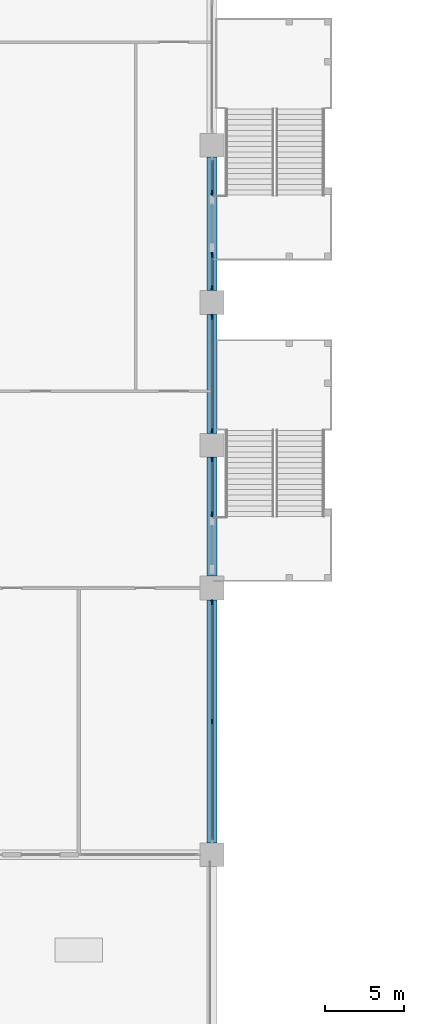
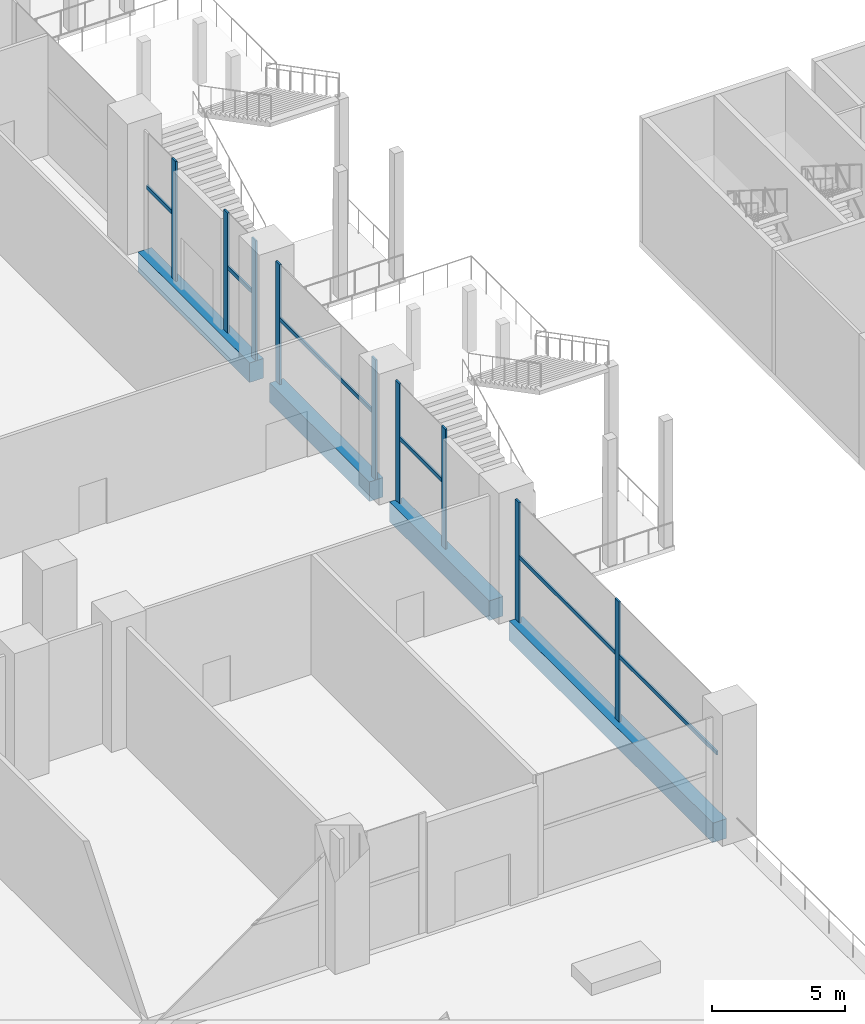
# One storey, part 8 of 47: 15 members, 4 beams, 5 elements without a shape of their own.
"""IFC4 building model written with IfcOpenShell, lengths in metres."""

from ifc_helpers import new_model, si_unit, direction, frame, origin, origin_2d, place, context, subcontext, project, spatial, rectangle, extrude, material, material_profile, profile_set, type_object, element, aggregate, save


model = new_model("IFC4")

# Units and contexts
model_context = context("Model", 3, precision=1e-05, world=origin(), true_north=direction((0.0, 1.0)))
body_context = subcontext(model_context, "Body", "Model", "MODEL_VIEW")
ifc_project = project(units=[si_unit("LENGTHUNIT", "METRE"), si_unit("AREAUNIT", "SQUARE_METRE"), si_unit("VOLUMEUNIT", "CUBIC_METRE"), si_unit("PLANEANGLEUNIT", "RADIAN"), si_unit("MASSUNIT", "GRAM", prefix="KILO")], contexts=[model_context])

# Site, building, storey
site_placement = place(None, origin())
site = spatial("IfcSite", under=ifc_project, at=site_placement, CompositionType="ELEMENT")
building_placement = place(site_placement, origin())
building = spatial("IfcBuilding", under=site, at=building_placement, Name="Candeia Pilgrim Tower and Theatre", CompositionType="ELEMENT")
storey_placement = place(building_placement, frame((0.0, 0.0, 23.0)))
storey = spatial("IfcBuildingStorey", under=building, at=storey_placement, Name="L03", CompositionType="ELEMENT", Elevation=23.0)

# Curtain wall, member
ifc_material_1 = material(Name="Aluminium framed podium glazing", Category="aluminium")
curtain_wall_type = type_object("IfcCurtainWallType", Name="CW-P curtain wall", PredefinedType="NOTDEFINED", material=ifc_material_1)
curtain_wall_1_placement = place(storey_placement, origin())
curtain_wall_1 = element("IfcCurtainWall", 1, at=curtain_wall_1_placement, inside=storey, type_object=curtain_wall_type, Name="Curtain wall CW-P L03.220", PredefinedType="NOTDEFINED")
ifc_material_2 = material(Name="Anodised aluminium", Category="aluminium")
ifc_material_profile_1 = material_profile(ifc_material_2, rectangle(XDim=0.080078125, YDim=0.300048828125, at=origin_2d()))
ifc_profile_set_1 = profile_set([ifc_material_profile_1], Name="Anodised aluminium")
member_type_1 = type_object("IfcMemberType", Name="CW-P mullion 80x300", PredefinedType="MULLION", material=ifc_profile_set_1)
member_1_placement = place(storey_placement, frame((159.60009765625, 122.89990234375, 0.0), z_axis=(0.0, 0.0, 1.0), x_axis=(1.0, 0.0, 0.0)))
member_1 = element("IfcMember", 2, at=member_1_placement, type_object=member_type_1, Name="CW-P mullion 2", PredefinedType="MULLION", context=body_context, shape_type="SweptSolid", body=[
    extrude(rectangle(XDim=0.080078125, YDim=0.300048828125, at=origin_2d()), origin(), (0.0, 0.0, 1.0), 5.5),
])

# Curtain wall, members
curtain_wall_2_placement = place(storey_placement, origin())
curtain_wall_2 = element("IfcCurtainWall", 3, at=curtain_wall_2_placement, inside=storey, type_object=curtain_wall_type, Name="Curtain wall CW-P L03.221", PredefinedType="NOTDEFINED")
member_2_placement = place(storey_placement, frame((159.60009765625, 119.0, 0.0), z_axis=(0.0, 0.0, 1.0), x_axis=(1.0, 0.0, 0.0)))
member_2 = element("IfcMember", 4, at=member_2_placement, type_object=member_type_1, Name="CW-P mullion 1", PredefinedType="MULLION", context=body_context, shape_type="SweptSolid", body=[
    extrude(rectangle(XDim=0.080078125, YDim=0.300048828125, at=origin_2d()), origin(), (0.0, 0.0, 1.0), 5.5),
])
member_3_placement = place(storey_placement, frame((159.60009765625, 116.89990234375, 0.0), z_axis=(0.0, 0.0, 1.0), x_axis=(1.0, 0.0, 0.0)))
member_3 = element("IfcMember", 5, at=member_3_placement, type_object=member_type_1, Name="CW-P mullion 2", PredefinedType="MULLION", context=body_context, shape_type="SweptSolid", body=[
    extrude(rectangle(XDim=0.080078125, YDim=0.300048828125, at=origin_2d()), origin(), (0.0, 0.0, 1.0), 5.5),
])

curtain_wall_3_placement = place(storey_placement, origin())
curtain_wall_3 = element("IfcCurtainWall", 6, at=curtain_wall_3_placement, inside=storey, type_object=curtain_wall_type, Name="Curtain wall CW-P L03.230", PredefinedType="NOTDEFINED")
member_4_placement = place(storey_placement, frame((159.60009765625, 115.10009765625, 0.0), z_axis=(0.0, 0.0, 1.0), x_axis=(1.0, 0.0, 0.0)))
member_4 = element("IfcMember", 7, at=member_4_placement, type_object=member_type_1, Name="CW-P mullion 1", PredefinedType="MULLION", context=body_context, shape_type="SweptSolid", body=[
    extrude(rectangle(XDim=0.080078125, YDim=0.300048828125, at=origin_2d()), origin(), (0.0, 0.0, 1.0), 5.5),
])
member_5_placement = place(storey_placement, frame((159.60009765625, 107.89990234375, 0.0), z_axis=(0.0, 0.0, 1.0), x_axis=(1.0, 0.0, 0.0)))
member_5 = element("IfcMember", 8, at=member_5_placement, type_object=member_type_1, Name="CW-P mullion 2", PredefinedType="MULLION", context=body_context, shape_type="SweptSolid", body=[
    extrude(rectangle(XDim=0.080078125, YDim=0.300048828125, at=origin_2d()), origin(), (0.0, 0.0, 1.0), 5.5),
])

curtain_wall_4_placement = place(storey_placement, origin())
curtain_wall_4 = element("IfcCurtainWall", 9, at=curtain_wall_4_placement, inside=storey, type_object=curtain_wall_type, Name="Curtain wall CW-P L03.240", PredefinedType="NOTDEFINED")
member_6_placement = place(storey_placement, frame((159.60009765625, 106.10009765625, 0.0), z_axis=(0.0, 0.0, 1.0), x_axis=(1.0, 0.0, 0.0)))
member_6 = element("IfcMember", 10, at=member_6_placement, type_object=member_type_1, Name="CW-P mullion 1", PredefinedType="MULLION", context=body_context, shape_type="SweptSolid", body=[
    extrude(rectangle(XDim=0.080078125, YDim=0.300048828125, at=origin_2d()), origin(), (0.0, 0.0, 1.0), 5.5),
])
member_7_placement = place(storey_placement, frame((159.60009765625, 102.64990234375, 0.0), z_axis=(0.0, 0.0, 1.0), x_axis=(1.0, 0.0, 0.0)))
member_7 = element("IfcMember", 11, at=member_7_placement, type_object=member_type_1, Name="CW-P mullion 2", PredefinedType="MULLION", context=body_context, shape_type="SweptSolid", body=[
    extrude(rectangle(XDim=0.080078125, YDim=0.300048828125, at=origin_2d()), origin(), (0.0, 0.0, 1.0), 5.5),
])

curtain_wall_5_placement = place(storey_placement, origin())
curtain_wall_5 = element("IfcCurtainWall", 12, at=curtain_wall_5_placement, inside=storey, type_object=curtain_wall_type, Name="Curtain wall CW-P L03.250", PredefinedType="NOTDEFINED")
member_8_placement = place(storey_placement, frame((159.60009765625, 97.10009765625, 0.0), z_axis=(0.0, 0.0, 1.0), x_axis=(1.0, 0.0, 0.0)))
member_8 = element("IfcMember", 13, at=member_8_placement, type_object=member_type_1, Name="CW-P mullion 1", PredefinedType="MULLION", context=body_context, shape_type="SweptSolid", body=[
    extrude(rectangle(XDim=0.080078125, YDim=0.300048828125, at=origin_2d()), origin(), (0.0, 0.0, 1.0), 5.5),
])
member_9_placement = place(storey_placement, frame((159.60009765625, 89.60009765625, 0.0), z_axis=(0.0, 0.0, 1.0), x_axis=(1.0, 0.0, 0.0)))
member_9 = element("IfcMember", 14, at=member_9_placement, type_object=member_type_1, Name="CW-P mullion 2", PredefinedType="MULLION", context=body_context, shape_type="SweptSolid", body=[
    extrude(rectangle(XDim=0.080078125, YDim=0.300048828125, at=origin_2d()), origin(), (0.0, 0.0, 1.0), 5.5),
])

# Member
ifc_material_profile_2 = material_profile(ifc_material_2, rectangle(XDim=0.080078125, YDim=0.179931640625, at=origin_2d()))
ifc_profile_set_2 = profile_set([ifc_material_profile_2], Name="Anodised aluminium")
member_type_2 = type_object("IfcMemberType", Name="CW-P transom 80x180", PredefinedType="USERDEFINED", material=ifc_profile_set_2)
member_10_placement = place(storey_placement, frame((159.60009765625, 124.9599609375, 3.0), z_axis=(0.0, -1.0, 0.0), x_axis=(1.0, 0.0, 0.0)))
member_10 = element("IfcMember", 15, at=member_10_placement, type_object=member_type_2, Name="CW-P transom 1.1", ObjectType="TRANSOM", PredefinedType="USERDEFINED", context=body_context, shape_type="SweptSolid", body=[
    extrude(rectangle(XDim=0.080078125, YDim=0.179931640625, at=origin_2d()), origin(), (0.0, 0.0, 1.0), 2.02001953125),
])

aggregate(curtain_wall_1, [member_1, member_10])

member_11_placement = place(storey_placement, frame((159.60009765625, 118.9599609375, 3.0), z_axis=(0.0, -1.0, 0.0), x_axis=(1.0, 0.0, 0.0)))
member_11 = element("IfcMember", 16, at=member_11_placement, type_object=member_type_2, Name="CW-P transom 1.1", ObjectType="TRANSOM", PredefinedType="USERDEFINED", context=body_context, shape_type="SweptSolid", body=[
    extrude(rectangle(XDim=0.080078125, YDim=0.179931640625, at=origin_2d()), origin(), (0.0, 0.0, 1.0), 2.02001953125),
])

aggregate(curtain_wall_2, [member_2, member_3, member_11])

member_12_placement = place(storey_placement, frame((159.60009765625, 115.06005859375, 3.0), z_axis=(0.0, -1.0, 0.0), x_axis=(1.0, 0.0, 0.0)))
member_12 = element("IfcMember", 17, at=member_12_placement, type_object=member_type_2, Name="CW-P transom 1.1", ObjectType="TRANSOM", PredefinedType="USERDEFINED", context=body_context, shape_type="SweptSolid", body=[
    extrude(rectangle(XDim=0.080078125, YDim=0.179931640625, at=origin_2d()), origin(), (0.0, 0.0, 1.0), 7.1201171875),
])

aggregate(curtain_wall_3, [member_4, member_5, member_12])

member_13_placement = place(storey_placement, frame((159.60009765625, 106.06005859375, 3.0), z_axis=(0.0, -1.0, 0.0), x_axis=(1.0, 0.0, 0.0)))
member_13 = element("IfcMember", 18, at=member_13_placement, type_object=member_type_2, Name="CW-P transom 1.1", ObjectType="TRANSOM", PredefinedType="USERDEFINED", context=body_context, shape_type="SweptSolid", body=[
    extrude(rectangle(XDim=0.080078125, YDim=0.179931640625, at=origin_2d()), origin(), (0.0, 0.0, 1.0), 3.3701171875),
])

aggregate(curtain_wall_4, [member_6, member_7, member_13])

member_14_placement = place(storey_placement, frame((159.60009765625, 97.06005859375, 3.0), z_axis=(0.0, -1.0, 0.0), x_axis=(1.0, 0.0, 0.0)))
member_14 = element("IfcMember", 19, at=member_14_placement, type_object=member_type_2, Name="CW-P transom 1.1", ObjectType="TRANSOM", PredefinedType="USERDEFINED", context=body_context, shape_type="SweptSolid", body=[
    extrude(rectangle(XDim=0.080078125, YDim=0.179931640625, at=origin_2d()), origin(), (0.0, 0.0, 1.0), 7.420166015625),
])

member_15_placement = place(storey_placement, frame((159.60009765625, 89.56005859375, 3.0), z_axis=(0.0, -1.0, 0.0), x_axis=(1.0, 0.0, 0.0)))
member_15 = element("IfcMember", 20, at=member_15_placement, type_object=member_type_2, Name="CW-P transom 2.1", ObjectType="TRANSOM", PredefinedType="USERDEFINED", context=body_context, shape_type="SweptSolid", body=[
    extrude(rectangle(XDim=0.080078125, YDim=0.179931640625, at=origin_2d()), origin(), (0.0, 0.0, 1.0), 7.420166015625),
])

aggregate(curtain_wall_5, [member_8, member_9, member_14, member_15])

# Beams
ifc_material_3 = material(Name="Concrete C80/95", Category="concrete")
ifc_material_profile_3 = material_profile(ifc_material_3, rectangle(XDim=0.60009765625, YDim=0.89990234375, at=origin_2d()))
ifc_profile_set_3 = profile_set([ifc_material_profile_3], Name="Concrete C80/95")
beam_type = type_object("IfcBeamType", Name="RC 600x900 C80/95", PredefinedType="BEAM", material=ifc_profile_set_3)
beam_1_placement = place(storey_placement, frame((159.60009765625, 81.949951171875, -0.449951171875), z_axis=(0.0, 1.0, 0.0), x_axis=(-1.0, 0.0, 0.0)))
element("IfcBeam", 21, at=beam_1_placement, inside=storey, type_object=beam_type, Name="Spandrel beam L03-01", PredefinedType="BEAM", context=body_context, shape_type="SweptSolid", body=[
    extrude(rectangle(XDim=0.60009765625, YDim=0.89990234375, at=origin_2d()), origin(), (0.0, 0.0, 1.0), 15.300048828125),
])
for number, where, z_axis, x_axis, name in (
    (22, (159.60009765625, 98.75, -0.449951171875), (0.0, 1.0, 0.0), (-1.0, 0.0, 0.0), "Spandrel beam L03-02"),
    (23, (159.60009765625, 107.75, -0.449951171875), (0.0, 1.0, 0.0), (-1.0, 0.0, 0.0), "Spandrel beam L03-03"),
):
    element("IfcBeam", number, at=place(storey_placement, frame(where, z_axis=z_axis, x_axis=x_axis)), inside=storey, type_object=beam_type, Name=name, PredefinedType="BEAM", context=body_context, shape_type="SweptSolid", body=[
        extrude(rectangle(XDim=0.60009765625, YDim=0.89990234375, at=origin_2d()), origin(), (0.0, 0.0, 1.0), 7.5),
    ])
beam_2_placement = place(storey_placement, frame((159.60009765625, 116.75, -0.449951171875), z_axis=(0.0, 1.0, 0.0), x_axis=(-1.0, 0.0, 0.0)))
element("IfcBeam", 24, at=beam_2_placement, inside=storey, type_object=beam_type, Name="Spandrel beam L03-04", PredefinedType="BEAM", context=body_context, shape_type="SweptSolid", body=[
    extrude(rectangle(XDim=0.60009765625, YDim=0.89990234375, at=origin_2d()), origin(), (0.0, 0.0, 1.0), 8.39990234375),
])

save(model, "model.ifc")
